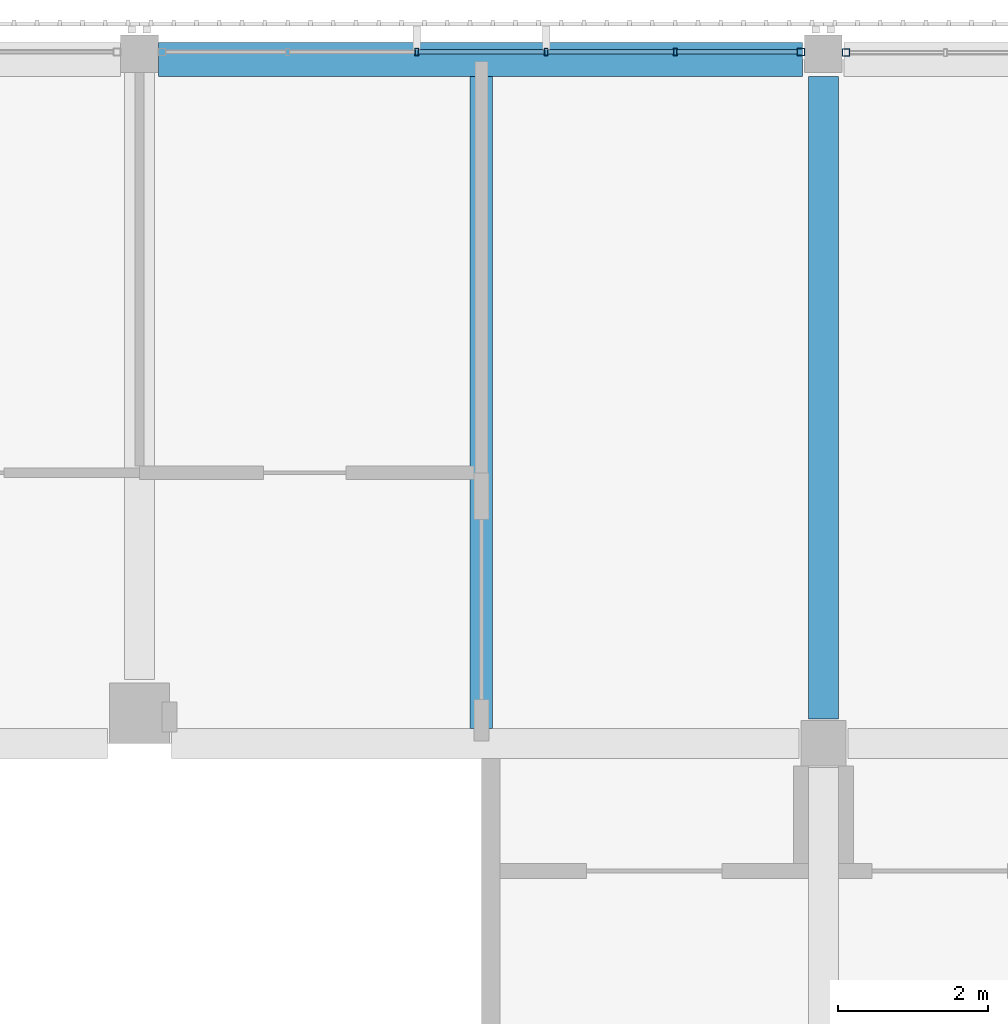
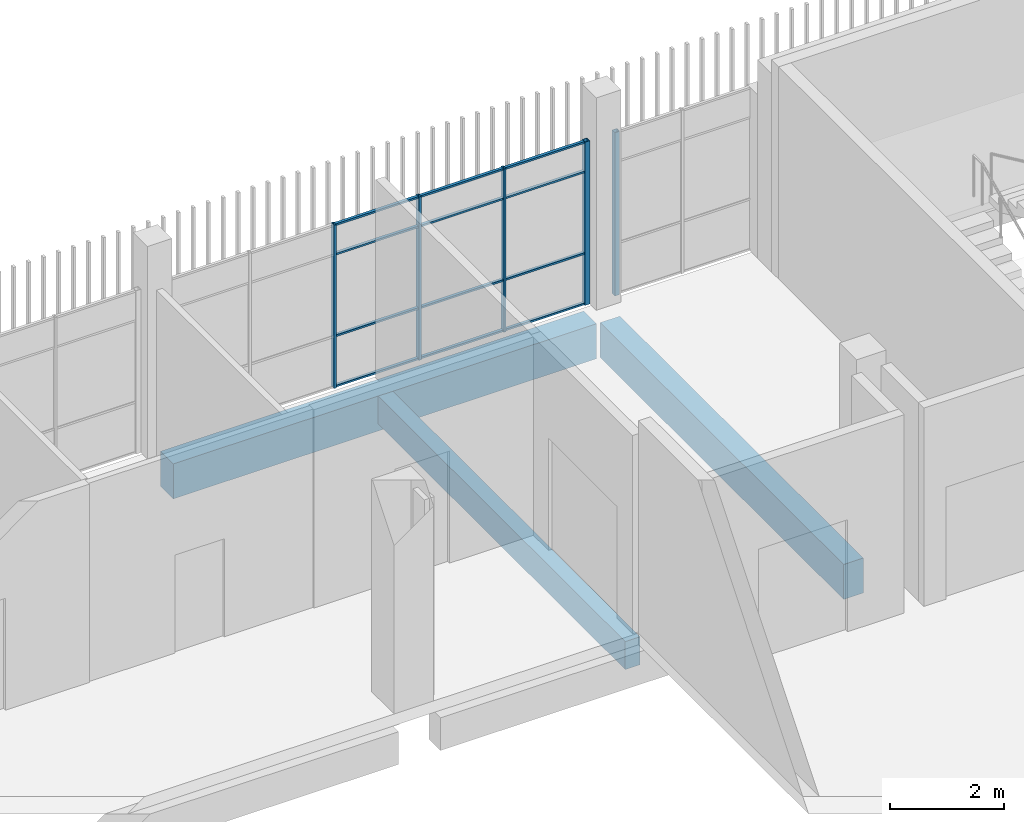
# One storey, part 47 of 124: 17 members, 3 beams, 2 elements without a shape of their own.
"""IFC4 building model written with IfcOpenShell, lengths in metres."""

from ifc_helpers import new_model, si_unit, direction, frame, origin, origin_2d, place, context, subcontext, project, spatial, rectangle, hollow_rectangle, extrude, material, layer, layer_set, material_profile, profile_set, type_object, element, aggregate, save


model = new_model("IFC4")

# Units and contexts
model_context = context("Model", 3, precision=1e-05, world=origin(), true_north=direction((0.0, 1.0)))
body_context = subcontext(model_context, "Body", "Model", "MODEL_VIEW")
ifc_project = project(units=[si_unit("LENGTHUNIT", "METRE"), si_unit("AREAUNIT", "SQUARE_METRE"), si_unit("VOLUMEUNIT", "CUBIC_METRE"), si_unit("PLANEANGLEUNIT", "RADIAN"), si_unit("MASSUNIT", "GRAM", prefix="KILO")], contexts=[model_context])

# Site, building, storey
site_placement = place(None, origin())
site = spatial("IfcSite", under=ifc_project, at=site_placement, CompositionType="ELEMENT")
building_placement = place(site_placement, origin())
building = spatial("IfcBuilding", under=site, at=building_placement, Name="Shirokan Park Arena", CompositionType="ELEMENT")
storey_placement = place(building_placement, frame((0.0, 0.0, 20.02001953125)))
storey = spatial("IfcBuildingStorey", under=building, at=storey_placement, Name="L04", CompositionType="ELEMENT", Elevation=20.02001953125)

# Curtain wall, member
ifc_material_1 = material(Name="Steel and glass curtain wall", Category="steel")
ifc_layer_1 = layer(ifc_material_1, 0.1201171875)
ifc_layer_set_1 = layer_set([ifc_layer_1], Name="Steel and glass curtain wall 120 mm")
curtain_wall_type_1 = type_object("IfcCurtainWallType", Name="Curtain wall corner block side bay 120", PredefinedType="NOTDEFINED", material=ifc_layer_set_1)
curtain_wall_1_placement = place(storey_placement, origin())
curtain_wall_1 = element("IfcCurtainWall", 1, at=curtain_wall_1_placement, inside=storey, type_object=curtain_wall_type_1, Name="Curtain wall north bay 4 L04", PredefinedType="NOTDEFINED")
ifc_material_2 = material(Name="Steel S355", Category="steel")
ifc_material_profile_1 = material_profile(ifc_material_2, hollow_rectangle(XDim=0.10009765625, YDim=0.10009765625, WallThickness=0.006103515625, at=origin_2d()), Name="RHS 100x100x6")
ifc_profile_set_1 = profile_set([ifc_material_profile_1], Name="Steel S355")
member_type_1 = type_object("IfcMemberType", Name="Mullion RHS 100x100x6", PredefinedType="MULLION", material=ifc_profile_set_1)
member_1_placement = place(storey_placement, frame((109.5, 109.2900390625, 0.0), z_axis=(0.0, 0.0, 1.0), x_axis=(0.0, -1.0, 0.0)))
member_1 = element("IfcMember", 2, at=member_1_placement, type_object=member_type_1, Name="CW3 mullion 3", PredefinedType="MULLION", context=body_context, shape_type="SweptSolid", body=[
    extrude(hollow_rectangle(XDim=0.10009765625, YDim=0.10009765625, WallThickness=0.006103515625, at=origin_2d()), origin(), (0.0, 0.0, 1.0), 3.5),
])
aggregate(curtain_wall_1, [member_1])

# Curtain wall, members
ifc_layer_2 = layer(ifc_material_1, 0.10009765625)
ifc_layer_set_2 = layer_set([ifc_layer_2], Name="Steel and glass curtain wall 100 mm")
curtain_wall_type_2 = type_object("IfcCurtainWallType", Name="Curtain wall sheltered bay 100", PredefinedType="NOTDEFINED", material=ifc_layer_set_2)
curtain_wall_2_placement = place(storey_placement, origin())
curtain_wall_2 = element("IfcCurtainWall", 3, at=curtain_wall_2_placement, inside=storey, type_object=curtain_wall_type_2, Name="Curtain wall north bay 5 L04", PredefinedType="NOTDEFINED")
member_2_placement = place(storey_placement, frame((108.89990234375, 109.300048828125, 0.0), z_axis=(0.0, 0.0, 1.0), x_axis=(0.0, -1.0, 0.0)))
member_2 = element("IfcMember", 4, at=member_2_placement, type_object=member_type_1, Name="CW2 mullion 1", PredefinedType="MULLION", context=body_context, shape_type="SweptSolid", body=[
    extrude(hollow_rectangle(XDim=0.10009765625, YDim=0.10009765625, WallThickness=0.006103515625, at=origin_2d()), origin(), (0.0, 0.0, 1.0), 3.5),
])
ifc_material_profile_2 = material_profile(ifc_material_2, hollow_rectangle(XDim=0.10009765625, YDim=0.050048828125, WallThickness=0.0048828125, at=origin_2d()), Name="RHS 100x50x5")
ifc_profile_set_2 = profile_set([ifc_material_profile_2], Name="Steel S355")
member_type_2 = type_object("IfcMemberType", Name="Mullion RHS 100x50x5", PredefinedType="MULLION", material=ifc_profile_set_2)
member_3_placement = place(storey_placement, frame((107.22998046875, 109.300048828125, 0.0), z_axis=(0.0, 0.0, 1.0), x_axis=(0.0, -1.0, 0.0)))
member_3 = element("IfcMember", 5, at=member_3_placement, type_object=member_type_2, Name="CW2 mullion 2", PredefinedType="MULLION", context=body_context, shape_type="SweptSolid", body=[
    extrude(hollow_rectangle(XDim=0.10009765625, YDim=0.050048828125, WallThickness=0.0048828125, at=origin_2d()), origin(), (0.0, 0.0, 1.0), 3.5),
])
member_4_placement = place(storey_placement, frame((105.510009765625, 109.300048828125, 0.0), z_axis=(0.0, 0.0, 1.0), x_axis=(0.0, -1.0, 0.0)))
member_4 = element("IfcMember", 6, at=member_4_placement, type_object=member_type_2, Name="CW2 mullion 3", PredefinedType="MULLION", context=body_context, shape_type="SweptSolid", body=[
    extrude(hollow_rectangle(XDim=0.10009765625, YDim=0.050048828125, WallThickness=0.0048828125, at=origin_2d()), origin(), (0.0, 0.0, 1.0), 3.5),
])
member_5_placement = place(storey_placement, frame((103.7900390625, 109.300048828125, 0.0), z_axis=(0.0, 0.0, 1.0), x_axis=(0.0, -1.0, 0.0)))
member_5 = element("IfcMember", 7, at=member_5_placement, type_object=member_type_2, Name="CW2 mullion 4", PredefinedType="MULLION", context=body_context, shape_type="SweptSolid", body=[
    extrude(hollow_rectangle(XDim=0.10009765625, YDim=0.050048828125, WallThickness=0.0048828125, at=origin_2d()), origin(), (0.0, 0.0, 1.0), 3.5),
])

# Beams
ifc_material_3 = material(Name="Concrete C35", Category="concrete")
ifc_material_profile_3 = material_profile(ifc_material_3, rectangle(XDim=0.39990234375, YDim=0.75, at=origin_2d()), Name="400x750")
ifc_profile_set_3 = profile_set([ifc_material_profile_3], Name="Concrete C35")
beam_type_1 = type_object("IfcBeamType", Name="RC girder 400x750", PredefinedType="BEAM", material=ifc_profile_set_3)
beam_1_placement = place(storey_placement, frame((109.199951171875, 100.425048828125, -0.625), z_axis=(0.0, 1.0, 0.0), x_axis=(-1.0, 0.0, 0.0)))
element("IfcBeam", 8, at=beam_1_placement, inside=storey, type_object=beam_type_1, Name="Girder 13M-13N L04", PredefinedType="BEAM", context=body_context, shape_type="SweptSolid", body=[
    extrude(rectangle(XDim=0.39990234375, YDim=0.75, at=origin_2d()), origin(), (0.0, 0.0, 1.0), 8.5498046875),
])
ifc_material_profile_4 = material_profile(ifc_material_3, rectangle(XDim=0.449951171875, YDim=0.75, at=origin_2d()), Name="450x750")
ifc_profile_set_4 = profile_set([ifc_material_profile_4], Name="Concrete C35")
beam_type_2 = type_object("IfcBeamType", Name="RC girder 450x750", PredefinedType="BEAM", material=ifc_profile_set_4)
beam_2_placement = place(storey_placement, frame((100.35009765625, 109.199951171875, -0.625), z_axis=(1.0, 0.0, 0.0), x_axis=(0.0, 1.0, 0.0)))
element("IfcBeam", 9, at=beam_2_placement, inside=storey, type_object=beam_type_2, Name="Girder 12N-13N L04", PredefinedType="BEAM", context=body_context, shape_type="SweptSolid", body=[
    extrude(rectangle(XDim=0.449951171875, YDim=0.75, at=origin_2d()), origin(), (0.0, 0.0, 1.0), 8.57470703125),
])
ifc_material_profile_5 = material_profile(ifc_material_3, rectangle(XDim=0.300048828125, YDim=0.60009765625, at=origin_2d()), Name="300x600")
ifc_profile_set_5 = profile_set([ifc_material_profile_5], Name="Concrete C35")
beam_type_3 = type_object("IfcBeamType", Name="RC joist 300x600", PredefinedType="JOIST", material=ifc_profile_set_5)
beam_3_placement = place(storey_placement, frame((104.64990234375, 100.300048828125, -0.550048828125), z_axis=(0.0, 1.0, 0.0), x_axis=(-1.0, 0.0, 0.0)))
element("IfcBeam", 10, at=beam_3_placement, inside=storey, type_object=beam_type_3, Name="Joist 13M L04", PredefinedType="JOIST", context=body_context, shape_type="SweptSolid", body=[
    extrude(rectangle(XDim=0.300048828125, YDim=0.60009765625, at=origin_2d()), origin(), (0.0, 0.0, 1.0), 8.675048828125),
])

# Member
ifc_material_profile_6 = material_profile(ifc_material_2, hollow_rectangle(XDim=0.06005859375, YDim=0.0400390625, WallThickness=0.00390625, at=origin_2d()), Name="RHS 60x40x4")
ifc_profile_set_6 = profile_set([ifc_material_profile_6], Name="Steel S355")
member_type_3 = type_object("IfcMemberType", Name="Transom RHS 60x40x4", PredefinedType="MULLION", material=ifc_profile_set_6)
member_6_placement = place(storey_placement, frame((108.85009765625, 109.300048828125, 0.02001953125), z_axis=(-1.0, 0.0, 0.0), x_axis=(0.0, -1.0, 0.0)))
member_6 = element("IfcMember", 11, at=member_6_placement, type_object=member_type_3, Name="CW2 transom 1.1", PredefinedType="MULLION", context=body_context, shape_type="SweptSolid", body=[
    extrude(hollow_rectangle(XDim=0.06005859375, YDim=0.0400390625, WallThickness=0.00390625, at=origin_2d()), origin(), (0.0, 0.0, 1.0), 1.59521484375),
])

member_7_placement = place(storey_placement, frame((108.85009765625, 109.300048828125, 1.10009765625), z_axis=(-1.0, 0.0, 0.0), x_axis=(0.0, -1.0, 0.0)))
member_7 = element("IfcMember", 12, at=member_7_placement, type_object=member_type_3, Name="CW2 transom 1.2", PredefinedType="MULLION", context=body_context, shape_type="SweptSolid", body=[
    extrude(hollow_rectangle(XDim=0.06005859375, YDim=0.0400390625, WallThickness=0.00390625, at=origin_2d()), origin(), (0.0, 0.0, 1.0), 1.59521484375),
])

member_8_placement = place(storey_placement, frame((108.85009765625, 109.300048828125, 2.85009765625), z_axis=(-1.0, 0.0, 0.0), x_axis=(0.0, -1.0, 0.0)))
member_8 = element("IfcMember", 13, at=member_8_placement, type_object=member_type_3, Name="CW2 transom 1.3", PredefinedType="MULLION", context=body_context, shape_type="SweptSolid", body=[
    extrude(hollow_rectangle(XDim=0.06005859375, YDim=0.0400390625, WallThickness=0.00390625, at=origin_2d()), origin(), (0.0, 0.0, 1.0), 1.59521484375),
])

member_9_placement = place(storey_placement, frame((108.85009765625, 109.300048828125, 3.47998046875), z_axis=(-1.0, 0.0, 0.0), x_axis=(0.0, -1.0, 0.0)))
member_9 = element("IfcMember", 14, at=member_9_placement, type_object=member_type_3, Name="CW2 transom 1.4", PredefinedType="MULLION", context=body_context, shape_type="SweptSolid", body=[
    extrude(hollow_rectangle(XDim=0.06005859375, YDim=0.0400390625, WallThickness=0.00390625, at=origin_2d()), origin(), (0.0, 0.0, 1.0), 1.59521484375),
])

member_10_placement = place(storey_placement, frame((107.205078125, 109.300048828125, 0.02001953125), z_axis=(-1.0, 0.0, 0.0), x_axis=(0.0, -1.0, 0.0)))
member_10 = element("IfcMember", 15, at=member_10_placement, type_object=member_type_3, Name="CW2 transom 2.1", PredefinedType="MULLION", context=body_context, shape_type="SweptSolid", body=[
    extrude(hollow_rectangle(XDim=0.06005859375, YDim=0.0400390625, WallThickness=0.00390625, at=origin_2d()), origin(), (0.0, 0.0, 1.0), 1.670166015625),
])

member_11_placement = place(storey_placement, frame((107.205078125, 109.300048828125, 1.10009765625), z_axis=(-1.0, 0.0, 0.0), x_axis=(0.0, -1.0, 0.0)))
member_11 = element("IfcMember", 16, at=member_11_placement, type_object=member_type_3, Name="CW2 transom 2.2", PredefinedType="MULLION", context=body_context, shape_type="SweptSolid", body=[
    extrude(hollow_rectangle(XDim=0.06005859375, YDim=0.0400390625, WallThickness=0.00390625, at=origin_2d()), origin(), (0.0, 0.0, 1.0), 1.670166015625),
])

member_12_placement = place(storey_placement, frame((107.205078125, 109.300048828125, 2.85009765625), z_axis=(-1.0, 0.0, 0.0), x_axis=(0.0, -1.0, 0.0)))
member_12 = element("IfcMember", 17, at=member_12_placement, type_object=member_type_3, Name="CW2 transom 2.3", PredefinedType="MULLION", context=body_context, shape_type="SweptSolid", body=[
    extrude(hollow_rectangle(XDim=0.06005859375, YDim=0.0400390625, WallThickness=0.00390625, at=origin_2d()), origin(), (0.0, 0.0, 1.0), 1.670166015625),
])

member_13_placement = place(storey_placement, frame((107.205078125, 109.300048828125, 3.47998046875), z_axis=(-1.0, 0.0, 0.0), x_axis=(0.0, -1.0, 0.0)))
member_13 = element("IfcMember", 18, at=member_13_placement, type_object=member_type_3, Name="CW2 transom 2.4", PredefinedType="MULLION", context=body_context, shape_type="SweptSolid", body=[
    extrude(hollow_rectangle(XDim=0.06005859375, YDim=0.0400390625, WallThickness=0.00390625, at=origin_2d()), origin(), (0.0, 0.0, 1.0), 1.670166015625),
])

member_14_placement = place(storey_placement, frame((105.485107421875, 109.300048828125, 0.02001953125), z_axis=(-1.0, 0.0, 0.0), x_axis=(0.0, -1.0, 0.0)))
member_14 = element("IfcMember", 19, at=member_14_placement, type_object=member_type_3, Name="CW2 transom 3.1", PredefinedType="MULLION", context=body_context, shape_type="SweptSolid", body=[
    extrude(hollow_rectangle(XDim=0.06005859375, YDim=0.0400390625, WallThickness=0.00390625, at=origin_2d()), origin(), (0.0, 0.0, 1.0), 1.670166015625),
])

member_15_placement = place(storey_placement, frame((105.485107421875, 109.300048828125, 1.10009765625), z_axis=(-1.0, 0.0, 0.0), x_axis=(0.0, -1.0, 0.0)))
member_15 = element("IfcMember", 20, at=member_15_placement, type_object=member_type_3, Name="CW2 transom 3.2", PredefinedType="MULLION", context=body_context, shape_type="SweptSolid", body=[
    extrude(hollow_rectangle(XDim=0.06005859375, YDim=0.0400390625, WallThickness=0.00390625, at=origin_2d()), origin(), (0.0, 0.0, 1.0), 1.670166015625),
])

member_16_placement = place(storey_placement, frame((105.485107421875, 109.300048828125, 2.85009765625), z_axis=(-1.0, 0.0, 0.0), x_axis=(0.0, -1.0, 0.0)))
member_16 = element("IfcMember", 21, at=member_16_placement, type_object=member_type_3, Name="CW2 transom 3.3", PredefinedType="MULLION", context=body_context, shape_type="SweptSolid", body=[
    extrude(hollow_rectangle(XDim=0.06005859375, YDim=0.0400390625, WallThickness=0.00390625, at=origin_2d()), origin(), (0.0, 0.0, 1.0), 1.670166015625),
])

member_17_placement = place(storey_placement, frame((105.485107421875, 109.300048828125, 3.47998046875), z_axis=(-1.0, 0.0, 0.0), x_axis=(0.0, -1.0, 0.0)))
member_17 = element("IfcMember", 22, at=member_17_placement, type_object=member_type_3, Name="CW2 transom 3.4", PredefinedType="MULLION", context=body_context, shape_type="SweptSolid", body=[
    extrude(hollow_rectangle(XDim=0.06005859375, YDim=0.0400390625, WallThickness=0.00390625, at=origin_2d()), origin(), (0.0, 0.0, 1.0), 1.670166015625),
])

aggregate(curtain_wall_2, [member_2, member_3, member_4, member_5, member_6, member_7, member_8, member_9, member_10, member_11, member_12, member_13, member_14, member_15, member_16, member_17])

save(model, "model.ifc")
